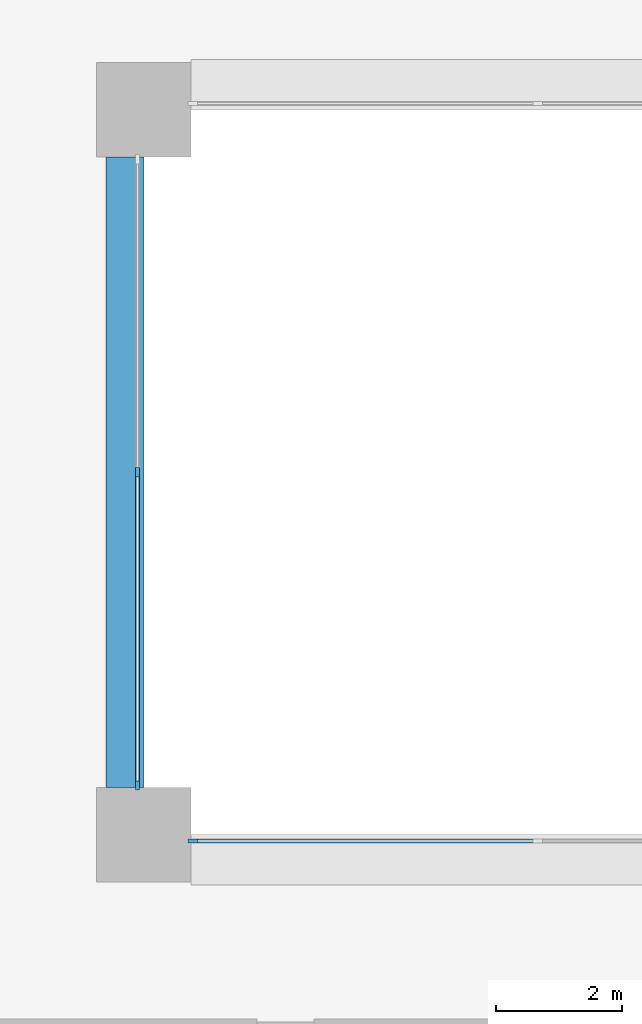
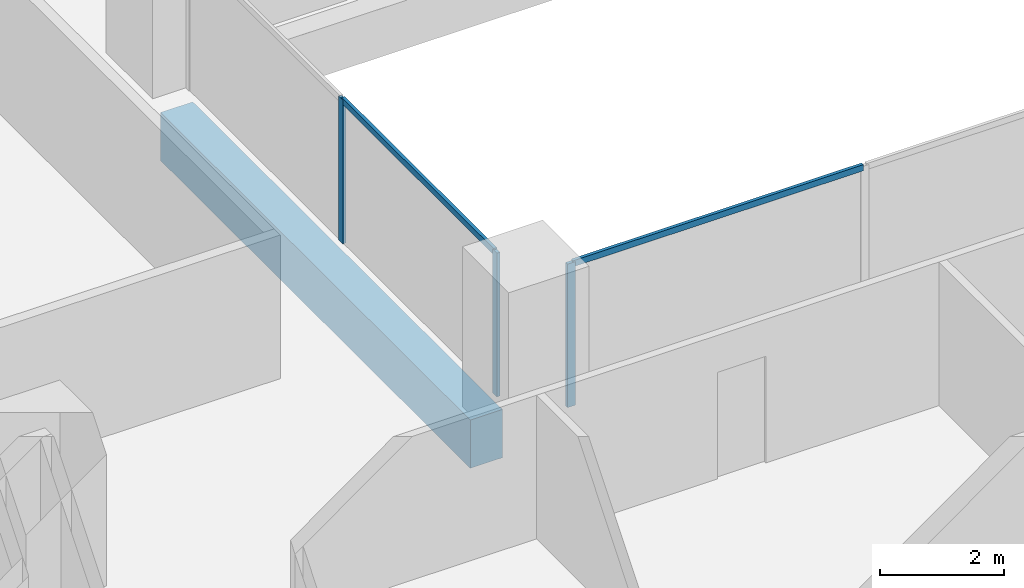
# One storey, part 2 of 20: 5 members, 1 beam, 2 elements without a shape of their own.
"""IFC4 building model written with IfcOpenShell, lengths in metres."""

from ifc_helpers import new_model, si_unit, direction, frame, origin, origin_2d, place, context, subcontext, project, spatial, rectangle, extrude, material, layer, layer_set, material_profile, profile_set, type_object, element, aggregate, save


model = new_model("IFC4")

# Units and contexts
model_context = context("Model", 3, precision=1e-05, world=origin(), true_north=direction((0.0, 1.0)))
body_context = subcontext(model_context, "Body", "Model", "MODEL_VIEW")
ifc_project = project(units=[si_unit("LENGTHUNIT", "METRE"), si_unit("AREAUNIT", "SQUARE_METRE"), si_unit("VOLUMEUNIT", "CUBIC_METRE"), si_unit("PLANEANGLEUNIT", "RADIAN"), si_unit("MASSUNIT", "GRAM", prefix="KILO")], contexts=[model_context])

# Site, building, storey
site_placement = place(None, origin())
site = spatial("IfcSite", under=ifc_project, at=site_placement, CompositionType="ELEMENT")
building_placement = place(site_placement, origin())
building = spatial("IfcBuilding", under=site, at=building_placement, Name="Brigalow Station Residences", CompositionType="ELEMENT")
storey_placement = place(building_placement, frame((0.0, 0.0, 57.300048828125)))
storey = spatial("IfcBuildingStorey", under=building, at=storey_placement, Name="L16", CompositionType="ELEMENT", Elevation=57.300048828125)

# Beam
ifc_material_1 = material(Name="Concrete C65", Category="concrete")
ifc_material_profile_1 = material_profile(ifc_material_1, rectangle(XDim=0.60009765625, YDim=0.949951171875, at=origin_2d()), Name="RC600x950")
ifc_profile_set_1 = profile_set([ifc_material_profile_1], Name="Concrete C65")
beam_type = type_object("IfcBeamType", Name="ATRIUM EDGE GIRDER 600x950 C65", PredefinedType="BEAM", material=ifc_profile_set_1)
beam_placement = place(storey_placement, frame((26.699951171875, 24.75, -0.795166015625), z_axis=(0.0, 1.0, 0.0), x_axis=(-1.0, 0.0, 0.0)))
element("IfcBeam", 1, at=beam_placement, inside=storey, type_object=beam_type, Name="ATRIUM EDGE GIRDER 3 L16", PredefinedType="BEAM", context=body_context, shape_type="SweptSolid", body=[
    extrude(rectangle(XDim=0.60009765625, YDim=0.949951171875, at=origin_2d()), origin(), (0.0, 0.0, 1.0), 10.0),
])

# Curtain wall, member
ifc_material_2 = material(Name="Aluminium", Category="aluminium")
ifc_layer = layer(ifc_material_2, 0.14990234375)
ifc_layer_set = layer_set([ifc_layer], Name="ATRIUM FIRE-RATED GLAZING CURTAIN WALL")
curtain_wall_type = type_object("IfcCurtainWallType", Name="ATRIUM FIRE-RATED GLAZING CURTAIN WALL", PredefinedType="NOTDEFINED", material=ifc_layer_set)
curtain_wall_1_placement = place(storey_placement, origin())
curtain_wall_1 = element("IfcCurtainWall", 2, at=curtain_wall_1_placement, inside=storey, type_object=curtain_wall_type, Name="L16/cw/atrium-S", PredefinedType="NOTDEFINED")
ifc_material_3 = material(Name="Aluminium", Category="aluminium")
ifc_material_profile_2 = material_profile(ifc_material_3, rectangle(XDim=0.06005859375, YDim=0.14990234375, at=origin_2d()), Name="ATRIUM FIRE-RATED GLAZING MULLION 60x150")
ifc_profile_set_2 = profile_set([ifc_material_profile_2], Name="Aluminium")
member_type_1 = type_object("IfcMemberType", Name="ATRIUM FIRE-RATED GLAZING MULLION 60x150", PredefinedType="MULLION", material=ifc_profile_set_2)
member_1_placement = place(storey_placement, frame((27.780029296875, 23.89990234375, 0.0), z_axis=(0.0, 0.0, 1.0), x_axis=(0.0, 1.0, 0.0)))
member_1 = element("IfcMember", 3, at=member_1_placement, type_object=member_type_1, Name="L16/cw/atrium-S/M00", PredefinedType="MULLION", context=body_context, shape_type="SweptSolid", body=[
    extrude(rectangle(XDim=0.06005859375, YDim=0.14990234375, at=origin_2d()), origin(), (0.0, 0.0, 1.0), 2.829833984375),
])

# Curtain wall, members
curtain_wall_2_placement = place(storey_placement, origin())
curtain_wall_2 = element("IfcCurtainWall", 4, at=curtain_wall_2_placement, inside=storey, type_object=curtain_wall_type, Name="L16/cw/atrium-W", PredefinedType="NOTDEFINED")
member_2_placement = place(storey_placement, frame((26.89990234375, 29.75, 0.0), z_axis=(0.0, 0.0, 1.0), x_axis=(1.0, 0.0, 0.0)))
member_2 = element("IfcMember", 5, at=member_2_placement, type_object=member_type_1, Name="L16/cw/atrium-W/M01", PredefinedType="MULLION", context=body_context, shape_type="SweptSolid", body=[
    extrude(rectangle(XDim=0.06005859375, YDim=0.14990234375, at=origin_2d()), origin(), (0.0, 0.0, 1.0), 2.829833984375),
])
member_3_placement = place(storey_placement, frame((26.89990234375, 24.780029296875, 0.0), z_axis=(0.0, 0.0, 1.0), x_axis=(1.0, 0.0, 0.0)))
member_3 = element("IfcMember", 6, at=member_3_placement, type_object=member_type_1, Name="L16/cw/atrium-W/M02", PredefinedType="MULLION", context=body_context, shape_type="SweptSolid", body=[
    extrude(rectangle(XDim=0.06005859375, YDim=0.14990234375, at=origin_2d()), origin(), (0.0, 0.0, 1.0), 2.829833984375),
])

# Member
ifc_material_4 = material(Name="Aluminium", Category="aluminium")
ifc_material_profile_3 = material_profile(ifc_material_4, rectangle(XDim=0.06005859375, YDim=0.1201171875, at=origin_2d()), Name="ATRIUM FIRE-RATED GLAZING TRANSOM 60x120")
ifc_profile_set_3 = profile_set([ifc_material_profile_3], Name="Aluminium")
member_type_2 = type_object("IfcMemberType", Name="ATRIUM FIRE-RATED GLAZING TRANSOM 60x120", PredefinedType="USERDEFINED", material=ifc_profile_set_3)
member_4_placement = place(storey_placement, frame((27.81005859375, 23.89990234375, 2.800048828125), z_axis=(1.0, 0.0, 0.0), x_axis=(0.0, 1.0, 0.0)))
member_4 = element("IfcMember", 7, at=member_4_placement, type_object=member_type_2, Name="L16/cw/atrium-S/T00-00", ObjectType="TRANSOM", PredefinedType="USERDEFINED", context=body_context, shape_type="SweptSolid", body=[
    extrude(rectangle(XDim=0.06005859375, YDim=0.1201171875, at=origin_2d()), origin(), (0.0, 0.0, 1.0), 5.409912109375),
])

aggregate(curtain_wall_1, [member_1, member_4])

member_5_placement = place(storey_placement, frame((26.89990234375, 29.719970703125, 2.800048828125), z_axis=(0.0, -1.0, 0.0), x_axis=(1.0, 0.0, 0.0)))
member_5 = element("IfcMember", 8, at=member_5_placement, type_object=member_type_2, Name="L16/cw/atrium-W/T01-00", ObjectType="TRANSOM", PredefinedType="USERDEFINED", context=body_context, shape_type="SweptSolid", body=[
    extrude(rectangle(XDim=0.06005859375, YDim=0.1201171875, at=origin_2d()), origin(), (0.0, 0.0, 1.0), 4.909912109375),
])

aggregate(curtain_wall_2, [member_2, member_3, member_5])

save(model, "model.ifc")
